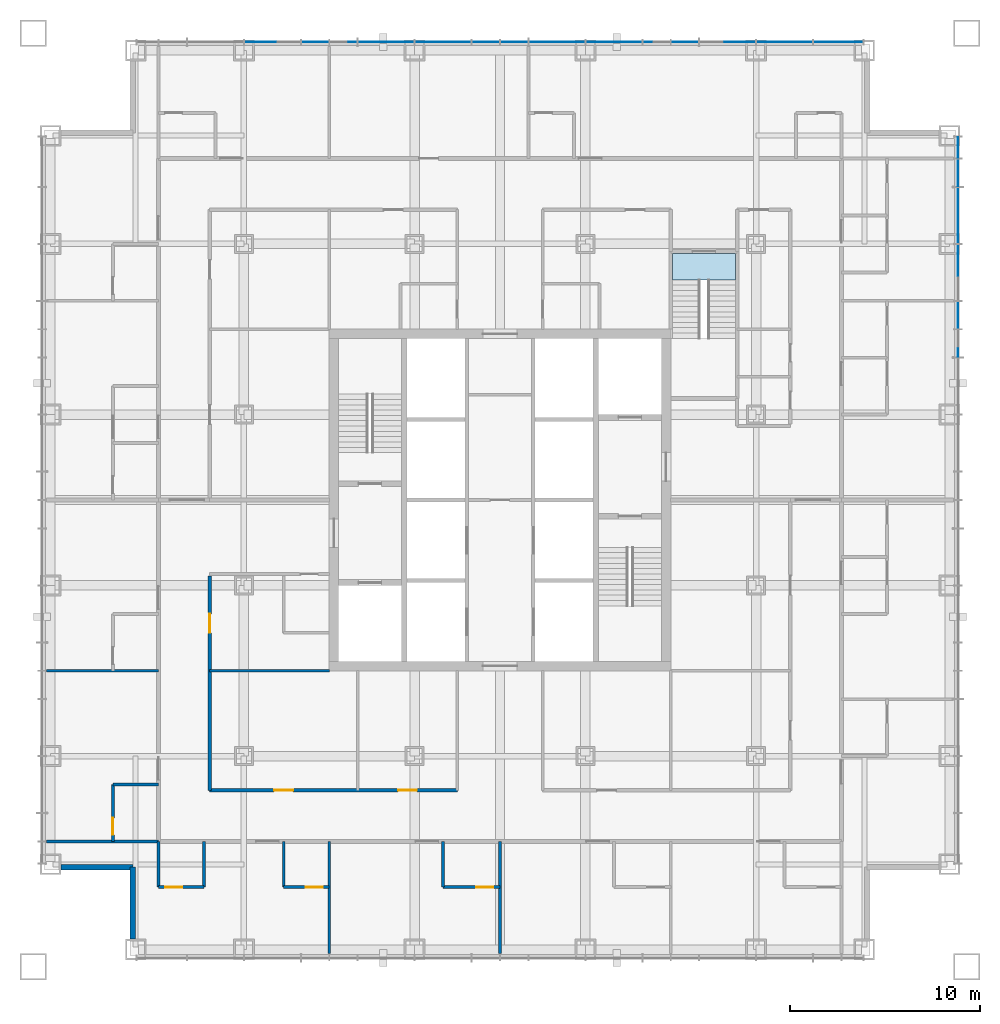
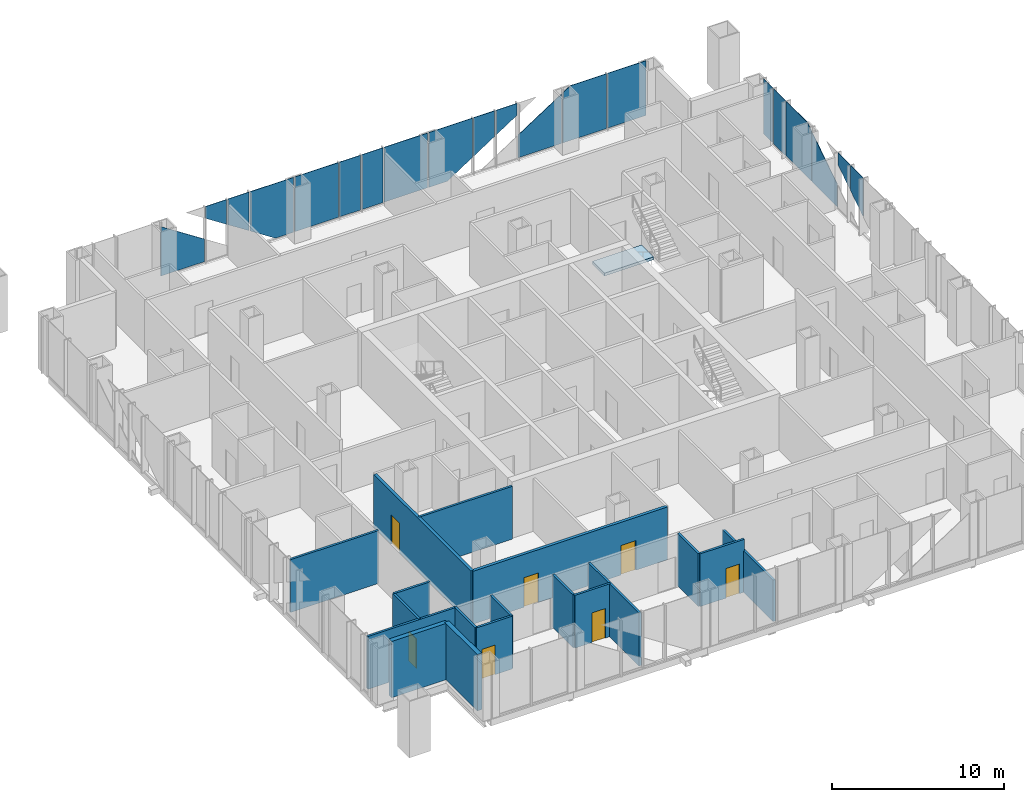
# One storey, part 8 of 13: 20 plates, 18 walls, 7 doors, 1 slab, 7 openings, 3 elements without a shape of their own.
"""IFC4 building model written with IfcOpenShell, lengths in metres."""

from ifc_helpers import new_model, si_unit, direction, frame, frame_2d, origin, origin_2d, place, context, subcontext, project, spatial, polyline, rectangle, outline, extrude, material, layer, layer_set, type_object, element, fill, aggregate, save


model = new_model("IFC4")

# Units and contexts
model_context = context("Model", 3, precision=1e-05, world=origin(), true_north=direction((0.0, 1.0)))
body_context = subcontext(model_context, "Body", "Model", "MODEL_VIEW")
ifc_project = project(units=[si_unit("LENGTHUNIT", "METRE"), si_unit("AREAUNIT", "SQUARE_METRE"), si_unit("VOLUMEUNIT", "CUBIC_METRE"), si_unit("PLANEANGLEUNIT", "RADIAN"), si_unit("MASSUNIT", "GRAM", prefix="KILO")], contexts=[model_context])

# Site, building, storey
site_placement = place(None, origin())
site = spatial("IfcSite", under=ifc_project, at=site_placement, CompositionType="ELEMENT")
building_placement = place(site_placement, origin())
building = spatial("IfcBuilding", under=site, at=building_placement, Name="Malebo Sky Hospital", CompositionType="ELEMENT")
storey_placement = place(building_placement, frame((0.0, 0.0, 160.0)))
storey = spatial("IfcBuildingStorey", under=building, at=storey_placement, Name="L38", CompositionType="ELEMENT", Elevation=160.0)

# Stair, slab
ifc_material_1 = material(Name="Concrete C40/50", Category="concrete")
stair_type = type_object("IfcStairType", Name="HALF-TURN STAIR 1400 R167", PredefinedType="HALF_TURN_STAIR", material=ifc_material_1)
stair_placement = place(storey_placement, origin())
stair = element("IfcStair", 1, at=stair_placement, inside=storey, type_object=stair_type, Name="Stair S3 L38 type ST1B", PredefinedType="HALF_TURN_STAIR")
ifc_layer_1 = layer(ifc_material_1, 0.199951171875)
ifc_layer_set_1 = layer_set([ifc_layer_1], Name="STAIR LANDING 200")
slab_type = type_object("IfcSlabType", Name="STAIR LANDING 200", PredefinedType="LANDING", material=ifc_layer_set_1)
slab_placement = place(storey_placement, frame((0.0, 0.0, -0.199951171875)))
slab = element("IfcSlab", 2, at=slab_placement, type_object=slab_type, Name="S3 landing 1", PredefinedType="LANDING", context=body_context, shape_type="SweptSolid", body=[
    extrude(outline(polyline([(69.10009765625, 73.60009765625), (72.39990234375, 73.60009765625), (72.39990234375, 75.0), (69.10009765625, 75.0), (69.10009765625, 73.60009765625)])), origin(), (0.0, 0.0, 1.0), 0.199951171875),
])
aggregate(stair, [slab])

# Curtain wall, plates
ifc_material_2 = material(Name="Anodised aluminium, natural silver", Category="aluminium")
ifc_layer_2 = layer(ifc_material_2, 0.25)
ifc_layer_set_2 = layer_set([ifc_layer_2], Name="WARD CURTAIN WALL NORTH AND SOUTH")
curtain_wall_type_1 = type_object("IfcCurtainWallType", Name="WARD CURTAIN WALL NORTH AND SOUTH", PredefinedType="NOTDEFINED", material=ifc_layer_set_2)
curtain_wall_1_placement = place(storey_placement, origin())
curtain_wall_1 = element("IfcCurtainWall", 3, at=curtain_wall_1_placement, inside=storey, type_object=curtain_wall_type_1, Name="NS curtain wall N", PredefinedType="NOTDEFINED")
ifc_material_3 = material(Name="Clear low-iron double glazing", Category="glass")
ifc_layer_3 = layer(ifc_material_3, 0.031982421875)
ifc_layer_set_3 = layer_set([ifc_layer_3], Name="VISION PANEL CLEAR 32")
plate_type = type_object("IfcPlateType", Name="VISION PANEL CLEAR 32", PredefinedType="CURTAIN_PANEL", material=ifc_layer_set_3)
plate_1_placement = place(storey_placement, frame((48.0, 86.135009765625, 0.10009765625), z_axis=(0.0, 0.0, 1.0), x_axis=(1.0, 0.0, 0.0)))
plate_1 = element("IfcPlate", 4, at=plate_1_placement, type_object=plate_type, Name="Panel 4", PredefinedType="CURTAIN_PANEL", context=body_context, shape_type="SweptSolid", body=[
    extrude(outline(polyline([(-1.46240234375, 0.0), (1.46240234375, 0.0), (1.46240234375, 1.607666015625), (-1.46240234375, 3.510009765625), (-1.46240234375, 0.0)])), frame((0.0, 0.01611328125, 0.0), z_axis=(0.0, -1.0, 0.0), x_axis=(1.0, 0.0, 0.0)), (0.0, 0.0, 1.0), 0.031982421875),
])
plate_2_placement = place(storey_placement, frame((50.25, 86.135009765625, 2.224365234375), z_axis=(0.0, 0.0, 1.0), x_axis=(1.0, 0.0, 0.0)))
plate_2 = element("IfcPlate", 5, at=plate_2_placement, type_object=plate_type, Name="Panel 5", PredefinedType="CURTAIN_PANEL", context=body_context, shape_type="SweptSolid", body=[
    extrude(outline(polyline([(0.71240234375, 0.0), (0.71240234375, 1.765625), (-0.71240234375, 1.765625), (-0.71240234375, 0.9267578125), (0.71240234375, 0.0)])), frame((0.0, 0.01611328125, 0.0), z_axis=(0.0, -1.0, 0.0), x_axis=(1.0, 0.0, 0.0)), (0.0, 0.0, 1.0), 0.031982421875),
])
plate_3_placement = place(storey_placement, frame((51.75, 86.135009765625, 1.248779296875), z_axis=(0.0, 0.0, 1.0), x_axis=(1.0, 0.0, 0.0)))
plate_3 = element("IfcPlate", 6, at=plate_3_placement, type_object=plate_type, Name="Panel 6", PredefinedType="CURTAIN_PANEL", context=body_context, shape_type="SweptSolid", body=[
    extrude(outline(polyline([(0.71240234375, 0.0), (0.71240234375, 2.7412109375), (-0.71240234375, 2.7412109375), (-0.71240234375, 0.9267578125), (0.71240234375, 0.0)])), frame((0.0, 0.01611328125, 0.0), z_axis=(0.0, -1.0, 0.0), x_axis=(1.0, 0.0, 0.0)), (0.0, 0.0, 1.0), 0.031982421875),
])
plate_4_placement = place(storey_placement, frame((54.0, 86.135009765625, 0.10009765625), z_axis=(0.0, 0.0, 1.0), x_axis=(1.0, 0.0, 0.0)))
plate_4 = element("IfcPlate", 7, at=plate_4_placement, type_object=plate_type, Name="Panel 7", PredefinedType="CURTAIN_PANEL", context=body_context, shape_type="SweptSolid", body=[
    extrude(outline(polyline([(0.228515625, 0.0), (1.46240234375, 0.0), (1.46240234375, 3.889892578125), (-1.46240234375, 3.889892578125), (-1.46240234375, 1.099853515625), (0.228515625, 0.0)])), frame((0.0, 0.01611328125, 0.0), z_axis=(0.0, -1.0, 0.0), x_axis=(1.0, 0.0, 0.0)), (0.0, 0.0, 1.0), 0.031982421875),
])
plate_5_placement = place(storey_placement, frame((57.0, 86.135009765625, 0.10009765625), z_axis=(0.0, 0.0, 1.0), x_axis=(1.0, 0.0, 0.0)))
plate_5 = element("IfcPlate", 8, at=plate_5_placement, type_object=plate_type, Name="Panel 8", PredefinedType="CURTAIN_PANEL", context=body_context, shape_type="SweptSolid", body=[
    extrude(rectangle(XDim=2.925048828125, YDim=0.031982421875, at=origin_2d()), origin(), (0.0, 0.0, 1.0), 3.889892578125),
])
plate_6_placement = place(storey_placement, frame((59.25, 86.135009765625, 0.10009765625), z_axis=(0.0, 0.0, 1.0), x_axis=(1.0, 0.0, 0.0)))
plate_6 = element("IfcPlate", 9, at=plate_6_placement, type_object=plate_type, Name="Panel 9", PredefinedType="CURTAIN_PANEL", context=body_context, shape_type="SweptSolid", body=[
    extrude(rectangle(XDim=1.425048828125, YDim=0.031982421875, at=origin_2d()), origin(), (0.0, 0.0, 1.0), 3.889892578125),
])
plate_7_placement = place(storey_placement, frame((60.75, 86.135009765625, 0.10009765625), z_axis=(0.0, 0.0, 1.0), x_axis=(1.0, 0.0, 0.0)))
plate_7 = element("IfcPlate", 10, at=plate_7_placement, type_object=plate_type, Name="Panel 10", PredefinedType="CURTAIN_PANEL", context=body_context, shape_type="SweptSolid", body=[
    extrude(rectangle(XDim=1.425048828125, YDim=0.031982421875, at=origin_2d()), origin(), (0.0, 0.0, 1.0), 3.889892578125),
])
plate_8_placement = place(storey_placement, frame((63.0, 86.135009765625, 0.10009765625), z_axis=(0.0, 0.0, 1.0), x_axis=(1.0, 0.0, 0.0)))
plate_8 = element("IfcPlate", 11, at=plate_8_placement, type_object=plate_type, Name="Panel 11", PredefinedType="CURTAIN_PANEL", context=body_context, shape_type="SweptSolid", body=[
    extrude(rectangle(XDim=2.925048828125, YDim=0.031982421875, at=origin_2d()), origin(), (0.0, 0.0, 1.0), 3.889892578125),
])
plate_9_placement = place(storey_placement, frame((66.0, 86.135009765625, 0.10009765625), z_axis=(0.0, 0.0, 1.0), x_axis=(1.0, 0.0, 0.0)))
plate_9 = element("IfcPlate", 12, at=plate_9_placement, type_object=plate_type, Name="Panel 12", PredefinedType="CURTAIN_PANEL", context=body_context, shape_type="SweptSolid", body=[
    extrude(outline(polyline([(-1.46240234375, 0.0), (-0.228515625, 0.0), (1.46240234375, 1.099853515625), (1.46240234375, 3.889892578125), (-1.46240234375, 3.889892578125), (-1.46240234375, 0.0)])), frame((0.0, 0.01611328125, 0.0), z_axis=(0.0, -1.0, 0.0), x_axis=(1.0, 0.0, 0.0)), (0.0, 0.0, 1.0), 0.031982421875),
])
plate_10_placement = place(storey_placement, frame((68.25, 86.135009765625, 1.248779296875), z_axis=(0.0, 0.0, 1.0), x_axis=(1.0, 0.0, 0.0)))
plate_10 = element("IfcPlate", 13, at=plate_10_placement, type_object=plate_type, Name="Panel 13", PredefinedType="CURTAIN_PANEL", context=body_context, shape_type="SweptSolid", body=[
    extrude(outline(polyline([(-0.71240234375, 0.0), (0.71240234375, 0.9267578125), (0.71240234375, 2.7412109375), (-0.71240234375, 2.7412109375), (-0.71240234375, 0.0)])), frame((0.0, 0.01611328125, 0.0), z_axis=(0.0, -1.0, 0.0), x_axis=(1.0, 0.0, 0.0)), (0.0, 0.0, 1.0), 0.031982421875),
])
plate_11_placement = place(storey_placement, frame((69.75, 86.135009765625, 2.224365234375), z_axis=(0.0, 0.0, 1.0), x_axis=(1.0, 0.0, 0.0)))
plate_11 = element("IfcPlate", 14, at=plate_11_placement, type_object=plate_type, Name="Panel 14", PredefinedType="CURTAIN_PANEL", context=body_context, shape_type="SweptSolid", body=[
    extrude(outline(polyline([(-0.71240234375, 0.0), (0.71240234375, 0.9267578125), (0.71240234375, 1.765625), (-0.71240234375, 1.765625), (-0.71240234375, 0.0)])), frame((0.0, 0.01611328125, 0.0), z_axis=(0.0, -1.0, 0.0), x_axis=(1.0, 0.0, 0.0)), (0.0, 0.0, 1.0), 0.031982421875),
])
plate_12_placement = place(storey_placement, frame((72.0, 86.135009765625, 0.10009765625), z_axis=(0.0, 0.0, 1.0), x_axis=(1.0, 0.0, 0.0)))
plate_12 = element("IfcPlate", 15, at=plate_12_placement, type_object=plate_type, Name="Panel 15", PredefinedType="CURTAIN_PANEL", context=body_context, shape_type="SweptSolid", body=[
    extrude(outline(polyline([(-1.46240234375, 0.0), (1.46240234375, 0.0), (1.46240234375, 3.510009765625), (-1.46240234375, 1.607666015625), (-1.46240234375, 0.0)])), frame((0.0, 0.01611328125, 0.0), z_axis=(0.0, -1.0, 0.0), x_axis=(1.0, 0.0, 0.0)), (0.0, 0.0, 1.0), 0.031982421875),
])
plate_13_placement = place(storey_placement, frame((75.0, 86.135009765625, 0.10009765625), z_axis=(0.0, 0.0, 1.0), x_axis=(1.0, 0.0, 0.0)))
plate_13 = element("IfcPlate", 16, at=plate_13_placement, type_object=plate_type, Name="Panel 16", PredefinedType="CURTAIN_PANEL", context=body_context, shape_type="SweptSolid", body=[
    extrude(outline(polyline([(-1.46240234375, 0.0), (1.46240234375, 0.0), (1.46240234375, 3.889892578125), (-0.953125, 3.889892578125), (-1.46240234375, 3.558837890625), (-1.46240234375, 0.0)])), frame((0.0, 0.01611328125, 0.0), z_axis=(0.0, -1.0, 0.0), x_axis=(1.0, 0.0, 0.0)), (0.0, 0.0, 1.0), 0.031982421875),
])
plate_14_placement = place(storey_placement, frame((77.831298828125, 86.135009765625, 0.10009765625), z_axis=(0.0, 0.0, 1.0), x_axis=(1.0, 0.0, 0.0)))
plate_14 = element("IfcPlate", 17, at=plate_14_placement, type_object=plate_type, Name="Panel 17", PredefinedType="CURTAIN_PANEL", context=body_context, shape_type="SweptSolid", body=[
    extrude(rectangle(XDim=2.58740234375, YDim=0.031982421875, at=origin_2d()), origin(), (0.0, 0.0, 1.0), 3.889892578125),
])
aggregate(curtain_wall_1, [plate_1, plate_2, plate_3, plate_4, plate_5, plate_6, plate_7, plate_8, plate_9, plate_10, plate_11, plate_12, plate_13, plate_14])

ifc_layer_4 = layer(ifc_material_2, 0.25)
ifc_layer_set_4 = layer_set([ifc_layer_4], Name="WARD CURTAIN WALL EAST AND WEST")
curtain_wall_type_2 = type_object("IfcCurtainWallType", Name="WARD CURTAIN WALL EAST AND WEST", PredefinedType="NOTDEFINED", material=ifc_layer_set_4)
curtain_wall_2_placement = place(storey_placement, origin())
curtain_wall_2 = element("IfcCurtainWall", 18, at=curtain_wall_2_placement, inside=storey, type_object=curtain_wall_type_2, Name="EW curtain wall E", PredefinedType="NOTDEFINED")
plate_15_placement = place(storey_placement, frame((84.135009765625, 80.581298828125, 0.10009765625), z_axis=(0.0, 0.0, 1.0), x_axis=(0.0, -1.0, 0.0)))
plate_15 = element("IfcPlate", 19, at=plate_15_placement, type_object=plate_type, Name="Panel 1", PredefinedType="CURTAIN_PANEL", context=body_context, shape_type="SweptSolid", body=[
    extrude(rectangle(XDim=1.08740234375, YDim=0.031982421875, at=origin_2d()), origin(), (0.0, 0.0, 1.0), 3.889892578125),
])
plate_16_placement = place(storey_placement, frame((84.135009765625, 79.25, 0.10009765625), z_axis=(0.0, 0.0, 1.0), x_axis=(0.0, -1.0, 0.0)))
plate_16 = element("IfcPlate", 20, at=plate_16_placement, type_object=plate_type, Name="Panel 2", PredefinedType="CURTAIN_PANEL", context=body_context, shape_type="SweptSolid", body=[
    extrude(rectangle(XDim=1.425048828125, YDim=0.031982421875, at=origin_2d()), origin(), (0.0, 0.0, 1.0), 3.889892578125),
])
plate_17_placement = place(storey_placement, frame((84.135009765625, 77.0, 0.10009765625), z_axis=(0.0, 0.0, 1.0), x_axis=(0.0, -1.0, 0.0)))
plate_17 = element("IfcPlate", 21, at=plate_17_placement, type_object=plate_type, Name="Panel 3", PredefinedType="CURTAIN_PANEL", context=body_context, shape_type="SweptSolid", body=[
    extrude(outline(polyline([(-1.46240234375, 0.0), (1.46240234375, 0.0), (1.46240234375, 3.558837890625), (0.953125, 3.889892578125), (-1.46240234375, 3.889892578125), (-1.46240234375, 0.0)])), frame((0.0, 0.01611328125, 0.0), z_axis=(0.0, -1.0, 0.0), x_axis=(1.0, 0.0, 0.0)), (0.0, 0.0, 1.0), 0.031982421875),
])
plate_18_placement = place(storey_placement, frame((84.135009765625, 74.0, 0.10009765625), z_axis=(0.0, 0.0, 1.0), x_axis=(0.0, -1.0, 0.0)))
plate_18 = element("IfcPlate", 22, at=plate_18_placement, type_object=plate_type, Name="Panel 4", PredefinedType="CURTAIN_PANEL", context=body_context, shape_type="SweptSolid", body=[
    extrude(outline(polyline([(-1.46240234375, 0.0), (1.46240234375, 0.0), (1.46240234375, 1.607666015625), (-1.46240234375, 3.510009765625), (-1.46240234375, 0.0)])), frame((0.0, 0.01611328125, 0.0), z_axis=(0.0, -1.0, 0.0), x_axis=(1.0, 0.0, 0.0)), (0.0, 0.0, 1.0), 0.031982421875),
])
plate_19_placement = place(storey_placement, frame((84.135009765625, 71.75, 2.224365234375), z_axis=(0.0, 0.0, 1.0), x_axis=(0.0, -1.0, 0.0)))
plate_19 = element("IfcPlate", 23, at=plate_19_placement, type_object=plate_type, Name="Panel 5", PredefinedType="CURTAIN_PANEL", context=body_context, shape_type="SweptSolid", body=[
    extrude(outline(polyline([(0.71240234375, 0.0), (0.71240234375, 1.765625), (-0.71240234375, 1.765625), (-0.71240234375, 0.9267578125), (0.71240234375, 0.0)])), frame((0.0, 0.01611328125, 0.0), z_axis=(0.0, -1.0, 0.0), x_axis=(1.0, 0.0, 0.0)), (0.0, 0.0, 1.0), 0.031982421875),
])
plate_20_placement = place(storey_placement, frame((84.135009765625, 70.25, 1.248779296875), z_axis=(0.0, 0.0, 1.0), x_axis=(0.0, -1.0, 0.0)))
plate_20 = element("IfcPlate", 24, at=plate_20_placement, type_object=plate_type, Name="Panel 6", PredefinedType="CURTAIN_PANEL", context=body_context, shape_type="SweptSolid", body=[
    extrude(outline(polyline([(0.71240234375, 0.0), (0.71240234375, 2.7412109375), (-0.71240234375, 2.7412109375), (-0.71240234375, 0.9267578125), (0.71240234375, 0.0)])), frame((0.0, 0.01611328125, 0.0), z_axis=(0.0, -1.0, 0.0), x_axis=(1.0, 0.0, 0.0)), (0.0, 0.0, 1.0), 0.031982421875),
])
aggregate(curtain_wall_2, [plate_15, plate_16, plate_17, plate_18, plate_19, plate_20])

# Wall, opening, door
ifc_material_4 = material(Name="Gypsum board on steel studs", Category="steel")
ifc_layer_5 = layer(ifc_material_4, 0.199951171875)
ifc_layer_set_5 = layer_set([ifc_layer_5], Name="CORRIDOR WALL 200")
wall_type_1 = type_object("IfcWallType", Name="CORRIDOR WALL 200", PredefinedType="PARTITIONING", material=ifc_layer_set_5)
wall_1_placement = place(storey_placement, frame((44.699951171875, 46.699951171875, 0.0), z_axis=(0.0, 0.0, 1.0), x_axis=(0.0, 1.0, 0.0)))
wall_1 = element("IfcWall", 25, at=wall_1_placement, inside=storey, type_object=wall_type_1, Name="Corridor Wall 200 WCI1", PredefinedType="PARTITIONING", context=body_context, shape_type="SweptSolid", body=[
    extrude(rectangle(XDim=11.300048828125, YDim=0.199951171875, at=frame_2d((5.64990234375, 0.0))), origin(), (0.0, 0.0, 1.0), 3.75),
])
opening_1_placement = place(wall_1_placement, frame((8.300048828125, 0.0, 0.0)))
opening_1 = element("IfcOpeningElement", 26, at=opening_1_placement, cuts=wall_1, Name="Opening D03", PredefinedType="OPENING", context=body_context, shape_type="SweptSolid", body=[
    extrude(rectangle(XDim=1.0, YDim=2.10009765625, at=frame_2d((0.5, 1.050048828125))), frame((0.0, 0.10986328125, 0.0), z_axis=(0.0, -1.0, 0.0), x_axis=(1.0, 0.0, 0.0)), (0.0, 0.0, 1.0), 0.219970703125),
])
ifc_material_5 = material(Name="Hardwood-faced door leaf in steel frame", Category="steel")
door_type_1 = type_object("IfcDoorType", Name="ROOM DOOR 1000", OperationType="SINGLE_SWING_LEFT", PredefinedType="DOOR", material=ifc_material_5)
door_1_placement = place(opening_1_placement, origin())
door_1 = element("IfcDoor", 27, at=door_1_placement, inside=storey, type_object=door_type_1, Name="Ward office door", OperationType="SINGLE_SWING_LEFT", OverallHeight=2.10009765625, OverallWidth=1.0, PredefinedType="DOOR", context=body_context, shape_type="SweptSolid", body=[
    extrude(rectangle(XDim=1.0, YDim=2.10009765625, at=frame_2d((0.5, 1.050048828125))), frame((0.0, 0.02490234375, 0.0), z_axis=(0.0, -1.0, 0.0), x_axis=(1.0, 0.0, 0.0)), (0.0, 0.0, 1.0), 0.050048828125),
])
fill(opening_1, door_1)

# Wall, openings, doors
wall_2_placement = place(storey_placement, frame((57.75, 46.699951171875, 0.0), z_axis=(0.0, 0.0, 1.0), x_axis=(-1.0, 0.0, 0.0)))
wall_2 = element("IfcWall", 28, at=wall_2_placement, inside=storey, type_object=wall_type_1, Name="Corridor Wall 200 SCI2", PredefinedType="PARTITIONING", context=body_context, shape_type="SweptSolid", body=[
    extrude(rectangle(XDim=13.050048828125, YDim=0.199951171875, at=frame_2d((6.52490234375, 0.0))), origin(), (0.0, 0.0, 1.0), 3.75),
])
opening_2_placement = place(wall_2_placement, frame((2.125, 0.0, 0.0)))
opening_2 = element("IfcOpeningElement", 29, at=opening_2_placement, cuts=wall_2, Name="Opening D03", PredefinedType="OPENING", context=body_context, shape_type="SweptSolid", body=[
    extrude(rectangle(XDim=1.0, YDim=2.10009765625, at=frame_2d((0.5, 1.050048828125))), frame((0.0, 0.10986328125, 0.0), z_axis=(0.0, -1.0, 0.0), x_axis=(1.0, 0.0, 0.0)), (0.0, 0.0, 1.0), 0.219970703125),
])
opening_3_placement = place(wall_2_placement, frame((8.64990234375, 0.0, 0.0)))
opening_3 = element("IfcOpeningElement", 30, at=opening_3_placement, cuts=wall_2, Name="Opening D03", PredefinedType="OPENING", context=body_context, shape_type="SweptSolid", body=[
    extrude(rectangle(XDim=1.0, YDim=2.10009765625, at=frame_2d((0.5, 1.050048828125))), frame((0.0, 0.10986328125, 0.0), z_axis=(0.0, -1.0, 0.0), x_axis=(1.0, 0.0, 0.0)), (0.0, 0.0, 1.0), 0.219970703125),
])
door_2_placement = place(opening_2_placement, origin())
door_2 = element("IfcDoor", 31, at=door_2_placement, inside=storey, type_object=door_type_1, Name="Dirty utility room door", OperationType="SINGLE_SWING_LEFT", OverallHeight=2.10009765625, OverallWidth=1.0, PredefinedType="DOOR", context=body_context, shape_type="SweptSolid", body=[
    extrude(rectangle(XDim=1.0, YDim=2.10009765625, at=frame_2d((0.5, 1.050048828125))), frame((0.0, 0.02490234375, 0.0), z_axis=(0.0, -1.0, 0.0), x_axis=(1.0, 0.0, 0.0)), (0.0, 0.0, 1.0), 0.050048828125),
])
fill(opening_2, door_2)
door_3_placement = place(opening_3_placement, origin())
door_3 = element("IfcDoor", 32, at=door_3_placement, inside=storey, type_object=door_type_1, Name="Lung function room door", OperationType="SINGLE_SWING_RIGHT", OverallHeight=2.10009765625, OverallWidth=1.0, PredefinedType="DOOR", context=body_context, shape_type="SweptSolid", body=[
    extrude(rectangle(XDim=1.0, YDim=2.10009765625, at=frame_2d((0.5, 1.050048828125))), frame((0.0, 0.02490234375, 0.0), z_axis=(0.0, -1.0, 0.0), x_axis=(1.0, 0.0, 0.0)), (0.0, 0.0, 1.0), 0.050048828125),
])
fill(opening_3, door_3)

# Walls
ifc_material_6 = material(Name="Anodised aluminium rainscreen on steel framing", Category="steel")
ifc_layer_6 = layer(ifc_material_6, 0.300048828125)
ifc_layer_set_6 = layer_set([ifc_layer_6], Name="NOTCH RAINSCREEN WALL 300")
wall_type_2 = type_object("IfcWallType", Name="NOTCH RAINSCREEN WALL 300", PredefinedType="ELEMENTEDWALL", material=ifc_layer_set_6)
for number, where, z_axis, x_axis, name in (
    (33, (40.64990234375, 38.85009765625, 0.0), (0.0, 0.0, 1.0), (0.0, 1.0, 0.0), "Notch rainscreen wall S1 L38"),
    (34, (40.64990234375, 42.64990234375, 0.0), (0.0, 0.0, 1.0), (-1.0, 0.0, 0.0), "Notch rainscreen wall S2 L38"),
):
    element("IfcWall", number, at=place(storey_placement, frame(where, z_axis=z_axis, x_axis=x_axis)), inside=storey, type_object=wall_type_2, Name=name, PredefinedType="ELEMENTEDWALL", context=body_context, shape_type="SweptSolid", body=[
        extrude(rectangle(XDim=3.7998046875, YDim=0.300048828125, at=frame_2d((1.89990234375, 0.0))), origin(), (0.0, 0.0, 1.0), 4.0),
    ])
ifc_layer_7 = layer(ifc_material_4, 0.14990234375)
ifc_layer_set_7 = layer_set([ifc_layer_7], Name="PARTITION 150")
wall_type_3 = type_object("IfcWallType", Name="PARTITION 150", PredefinedType="PARTITIONING", material=ifc_layer_set_7)
for number, where, z_axis, x_axis, name in (
    (35, (42.0, 53.0, 0.0), (0.0, 0.0, 1.0), (-1.0, 0.0, 0.0), "Partition 150 WP-9.0"),
    (36, (42.0, 44.0, 0.0), (0.0, 0.0, 1.0), (-1.0, 0.0, 0.0), "Partition 150 WP0"),
):
    element("IfcWall", number, at=place(storey_placement, frame(where, z_axis=z_axis, x_axis=x_axis)), inside=storey, type_object=wall_type_3, Name=name, PredefinedType="PARTITIONING", context=body_context, shape_type="SweptSolid", body=[
        extrude(rectangle(XDim=5.909912109375, YDim=0.14990234375, at=frame_2d((2.955078125, 0.0))), origin(), (0.0, 0.0, 1.0), 3.75),
    ])

# Wall, opening, door
wall_3_placement = place(storey_placement, frame((39.60009765625, 44.0, 0.0), z_axis=(0.0, 0.0, 1.0), x_axis=(0.0, 1.0, 0.0)))
wall_3 = element("IfcWall", 37, at=wall_3_placement, inside=storey, type_object=wall_type_3, Name="Partition 150 WE0F", PredefinedType="PARTITIONING", context=body_context, shape_type="SweptSolid", body=[
    extrude(rectangle(XDim=3.0, YDim=0.14990234375, at=frame_2d((1.5, 0.0))), origin(), (0.0, 0.0, 1.0), 3.75),
])
opening_4_placement = place(wall_3_placement, frame((0.35009765625, 0.0, 0.0)))
opening_4 = element("IfcOpeningElement", 38, at=opening_4_placement, cuts=wall_3, Name="Opening D02", PredefinedType="OPENING", context=body_context, shape_type="SweptSolid", body=[
    extrude(rectangle(XDim=0.89990234375, YDim=2.10009765625, at=frame_2d((0.449951171875, 1.050048828125))), frame((0.0, 0.0849609375, 0.0), z_axis=(0.0, -1.0, 0.0), x_axis=(1.0, 0.0, 0.0)), (0.0, 0.0, 1.0), 0.169921875),
])
door_type_2 = type_object("IfcDoorType", Name="EN-SUITE DOOR 900", OperationType="SINGLE_SWING_LEFT", PredefinedType="DOOR", material=ifc_material_5)
door_4_placement = place(opening_4_placement, origin())
door_4 = element("IfcDoor", 39, at=door_4_placement, inside=storey, type_object=door_type_2, Name="En-suite door", OperationType="SINGLE_SWING_LEFT", OverallHeight=2.10009765625, OverallWidth=0.89990234375, PredefinedType="DOOR", context=body_context, shape_type="SweptSolid", body=[
    extrude(rectangle(XDim=0.89990234375, YDim=2.10009765625, at=frame_2d((0.449951171875, 1.050048828125))), frame((0.0, 0.02490234375, 0.0), z_axis=(0.0, -1.0, 0.0), x_axis=(1.0, 0.0, 0.0)), (0.0, 0.0, 1.0), 0.050048828125),
])
fill(opening_4, door_4)

# Walls
wall_4_placement = place(storey_placement, frame((42.0, 47.0, 0.0), z_axis=(0.0, 0.0, 1.0), x_axis=(-1.0, 0.0, 0.0)))
element("IfcWall", 40, at=wall_4_placement, inside=storey, type_object=wall_type_3, Name="Partition 150 WE0S", PredefinedType="PARTITIONING", context=body_context, shape_type="SweptSolid", body=[
    extrude(rectangle(XDim=2.39990234375, YDim=0.14990234375, at=frame_2d((1.199951171875, 0.0))), origin(), (0.0, 0.0, 1.0), 3.75),
])
wall_5_placement = place(storey_placement, frame((51.0, 53.0, 0.0), z_axis=(0.0, 0.0, 1.0), x_axis=(-1.0, 0.0, 0.0)))
element("IfcWall", 41, at=wall_5_placement, inside=storey, type_object=wall_type_3, Name="Partition 150 WSP0", PredefinedType="PARTITIONING", context=body_context, shape_type="SweptSolid", body=[
    extrude(rectangle(XDim=6.300048828125, YDim=0.14990234375, at=frame_2d((3.14990234375, 0.0))), origin(), (0.0, 0.0, 1.0), 3.75),
])
wall_6_placement = place(storey_placement, frame((60.0, 44.0, 0.0), z_axis=(0.0, 0.0, 1.0), x_axis=(0.0, -1.0, 0.0)))
element("IfcWall", 42, at=wall_6_placement, inside=storey, type_object=wall_type_3, Name="Partition 150 SP+0.0", PredefinedType="PARTITIONING", context=body_context, shape_type="SweptSolid", body=[
    extrude(rectangle(XDim=5.909912109375, YDim=0.14990234375, at=frame_2d((2.955078125, 0.0))), origin(), (0.0, 0.0, 1.0), 2.949951171875),
])
wall_7_placement = place(storey_placement, frame((51.0, 44.0, 0.0), z_axis=(0.0, 0.0, 1.0), x_axis=(0.0, -1.0, 0.0)))
element("IfcWall", 43, at=wall_7_placement, inside=storey, type_object=wall_type_3, Name="Partition 150 SP+9.0", PredefinedType="PARTITIONING", context=body_context, shape_type="SweptSolid", body=[
    extrude(rectangle(XDim=5.909912109375, YDim=0.14990234375, at=frame_2d((2.955078125, 0.0))), origin(), (0.0, 0.0, 1.0), 3.75),
])

# Wall, opening, door
wall_8_placement = place(storey_placement, frame((60.0, 41.60009765625, 0.0), z_axis=(0.0, 0.0, 1.0), x_axis=(-1.0, 0.0, 0.0)))
wall_8 = element("IfcWall", 44, at=wall_8_placement, inside=storey, type_object=wall_type_3, Name="Partition 150 SE2F", PredefinedType="PARTITIONING", context=body_context, shape_type="SweptSolid", body=[
    extrude(rectangle(XDim=3.0, YDim=0.14990234375, at=frame_2d((1.5, 0.0))), origin(), (0.0, 0.0, 1.0), 3.75),
])
opening_5_placement = place(wall_8_placement, frame((0.35009765625, 0.0, 0.0)))
opening_5 = element("IfcOpeningElement", 45, at=opening_5_placement, cuts=wall_8, Name="Opening D02", PredefinedType="OPENING", context=body_context, shape_type="SweptSolid", body=[
    extrude(rectangle(XDim=0.89990234375, YDim=2.10009765625, at=frame_2d((0.449951171875, 1.050048828125))), frame((0.0, 0.0849609375, 0.0), z_axis=(0.0, -1.0, 0.0), x_axis=(1.0, 0.0, 0.0)), (0.0, 0.0, 1.0), 0.169921875),
])
door_5_placement = place(opening_5_placement, origin())
door_5 = element("IfcDoor", 46, at=door_5_placement, inside=storey, type_object=door_type_2, Name="En-suite door", OperationType="SINGLE_SWING_LEFT", OverallHeight=2.10009765625, OverallWidth=0.89990234375, PredefinedType="DOOR", context=body_context, shape_type="SweptSolid", body=[
    extrude(rectangle(XDim=0.89990234375, YDim=2.10009765625, at=frame_2d((0.449951171875, 1.050048828125))), frame((0.0, 0.02490234375, 0.0), z_axis=(0.0, -1.0, 0.0), x_axis=(1.0, 0.0, 0.0)), (0.0, 0.0, 1.0), 0.050048828125),
])
fill(opening_5, door_5)

# Wall
wall_9_placement = place(storey_placement, frame((57.0, 44.0, 0.0), z_axis=(0.0, 0.0, 1.0), x_axis=(0.0, -1.0, 0.0)))
element("IfcWall", 47, at=wall_9_placement, inside=storey, type_object=wall_type_3, Name="Partition 150 SE2S", PredefinedType="PARTITIONING", context=body_context, shape_type="SweptSolid", body=[
    extrude(rectangle(XDim=2.39990234375, YDim=0.14990234375, at=frame_2d((1.199951171875, 0.0))), origin(), (0.0, 0.0, 1.0), 3.75),
])

# Wall, opening, door
wall_10_placement = place(storey_placement, frame((51.0, 41.60009765625, 0.0), z_axis=(0.0, 0.0, 1.0), x_axis=(-1.0, 0.0, 0.0)))
wall_10 = element("IfcWall", 48, at=wall_10_placement, inside=storey, type_object=wall_type_3, Name="Partition 150 SE3F", PredefinedType="PARTITIONING", context=body_context, shape_type="SweptSolid", body=[
    extrude(rectangle(XDim=2.39990234375, YDim=0.14990234375, at=frame_2d((1.199951171875, 0.0))), origin(), (0.0, 0.0, 1.0), 3.75),
])
opening_6_placement = place(wall_10_placement, frame((0.35009765625, 0.0, 0.0)))
opening_6 = element("IfcOpeningElement", 49, at=opening_6_placement, cuts=wall_10, Name="Opening D02", PredefinedType="OPENING", context=body_context, shape_type="SweptSolid", body=[
    extrude(rectangle(XDim=0.89990234375, YDim=2.10009765625, at=frame_2d((0.449951171875, 1.050048828125))), frame((0.0, 0.0849609375, 0.0), z_axis=(0.0, -1.0, 0.0), x_axis=(1.0, 0.0, 0.0)), (0.0, 0.0, 1.0), 0.169921875),
])
door_6_placement = place(opening_6_placement, origin())
door_6 = element("IfcDoor", 50, at=door_6_placement, inside=storey, type_object=door_type_2, Name="En-suite door", OperationType="SINGLE_SWING_LEFT", OverallHeight=2.10009765625, OverallWidth=0.89990234375, PredefinedType="DOOR", context=body_context, shape_type="SweptSolid", body=[
    extrude(rectangle(XDim=0.89990234375, YDim=2.10009765625, at=frame_2d((0.449951171875, 1.050048828125))), frame((0.0, 0.02490234375, 0.0), z_axis=(0.0, -1.0, 0.0), x_axis=(1.0, 0.0, 0.0)), (0.0, 0.0, 1.0), 0.050048828125),
])
fill(opening_6, door_6)

# Wall
wall_11_placement = place(storey_placement, frame((48.60009765625, 44.0, 0.0), z_axis=(0.0, 0.0, 1.0), x_axis=(0.0, -1.0, 0.0)))
element("IfcWall", 51, at=wall_11_placement, inside=storey, type_object=wall_type_3, Name="Partition 150 SE3S", PredefinedType="PARTITIONING", context=body_context, shape_type="SweptSolid", body=[
    extrude(rectangle(XDim=2.39990234375, YDim=0.14990234375, at=frame_2d((1.199951171875, 0.0))), origin(), (0.0, 0.0, 1.0), 3.75),
])

# Wall, opening, door
wall_12_placement = place(storey_placement, frame((44.39990234375, 41.60009765625, 0.0), z_axis=(0.0, 0.0, 1.0), x_axis=(-1.0, 0.0, 0.0)))
wall_12 = element("IfcWall", 52, at=wall_12_placement, inside=storey, type_object=wall_type_3, Name="Partition 150 SG3F", PredefinedType="PARTITIONING", context=body_context, shape_type="SweptSolid", body=[
    extrude(rectangle(XDim=2.39990234375, YDim=0.14990234375, at=frame_2d((1.199951171875, 0.0))), origin(), (0.0, 0.0, 1.0), 3.75),
])
opening_7_placement = place(wall_12_placement, frame((1.14990234375, 0.0, 0.0)))
opening_7 = element("IfcOpeningElement", 53, at=opening_7_placement, cuts=wall_12, Name="Opening D02", PredefinedType="OPENING", context=body_context, shape_type="SweptSolid", body=[
    extrude(rectangle(XDim=0.89990234375, YDim=2.10009765625, at=frame_2d((0.449951171875, 1.050048828125))), frame((0.0, 0.0849609375, 0.0), z_axis=(0.0, -1.0, 0.0), x_axis=(1.0, 0.0, 0.0)), (0.0, 0.0, 1.0), 0.169921875),
])
door_7_placement = place(opening_7_placement, origin())
door_7 = element("IfcDoor", 54, at=door_7_placement, inside=storey, type_object=door_type_2, Name="En-suite door", OperationType="SINGLE_SWING_RIGHT", OverallHeight=2.10009765625, OverallWidth=0.89990234375, PredefinedType="DOOR", context=body_context, shape_type="SweptSolid", body=[
    extrude(rectangle(XDim=0.89990234375, YDim=2.10009765625, at=frame_2d((0.449951171875, 1.050048828125))), frame((0.0, 0.02490234375, 0.0), z_axis=(0.0, -1.0, 0.0), x_axis=(1.0, 0.0, 0.0)), (0.0, 0.0, 1.0), 0.050048828125),
])
fill(opening_7, door_7)

# Walls
for number, where, z_axis, x_axis, name in (
    (55, (44.39990234375, 44.0, 0.0), (0.0, 0.0, 1.0), (0.0, -1.0, 0.0), "Partition 150 SG3S"),
    (56, (42.0, 44.0, 0.0), (0.0, 0.0, 1.0), (0.0, -1.0, 0.0), "Partition 150 SEZ"),
):
    element("IfcWall", number, at=place(storey_placement, frame(where, z_axis=z_axis, x_axis=x_axis)), inside=storey, type_object=wall_type_3, Name=name, PredefinedType="PARTITIONING", context=body_context, shape_type="SweptSolid", body=[
        extrude(rectangle(XDim=2.39990234375, YDim=0.14990234375, at=frame_2d((1.199951171875, 0.0))), origin(), (0.0, 0.0, 1.0), 3.75),
    ])

save(model, "model.ifc")
